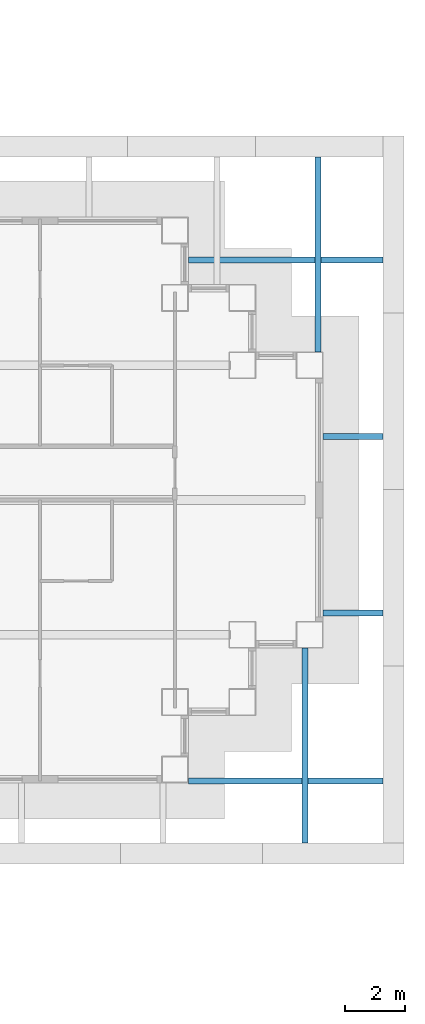
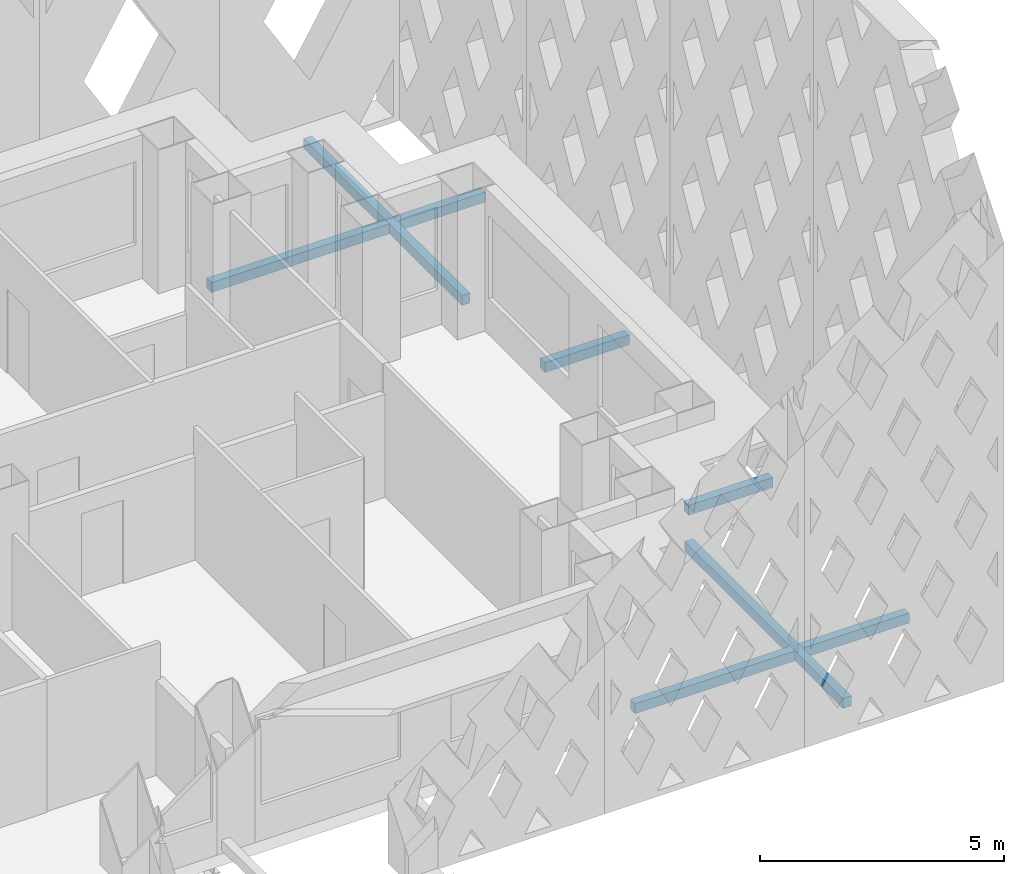
# One storey, part 10 of 21: 6 discrete accessories.
"""IFC4 building model written with IfcOpenShell, lengths in metres."""

from ifc_helpers import new_model, si_unit, direction, frame, origin, origin_2d, place, context, subcontext, project, spatial, rectangle, extrude, material, type_object, element, save


model = new_model("IFC4")

# Units and contexts
model_context = context("Model", 3, precision=1e-05, world=origin(), true_north=direction((0.0, 1.0)))
body_context = subcontext(model_context, "Body", "Model", "MODEL_VIEW")
ifc_project = project(units=[si_unit("LENGTHUNIT", "METRE"), si_unit("AREAUNIT", "SQUARE_METRE"), si_unit("VOLUMEUNIT", "CUBIC_METRE"), si_unit("PLANEANGLEUNIT", "RADIAN"), si_unit("MASSUNIT", "GRAM", prefix="KILO")], contexts=[model_context])

# Site, building, storey
site_placement = place(None, origin())
site = spatial("IfcSite", under=ifc_project, at=site_placement, CompositionType="ELEMENT")
building_placement = place(site_placement, origin())
building = spatial("IfcBuilding", under=site, at=building_placement, Name="Caravel Reach Hotel and Residences", CompositionType="ELEMENT")
storey_placement = place(building_placement, frame((0.0, 0.0, 100.800048828125)))
storey = spatial("IfcBuildingStorey", under=building, at=storey_placement, Name="L24", CompositionType="ELEMENT", Elevation=100.800048828125)

# Discrete accessories
ifc_material = material(Name="Black powder-coated aluminium", Category="aluminium")
discrete_accessory_type = type_object("IfcDiscreteAccessoryType", Name="BR1 Screen bracket", PredefinedType="BRACKET", material=ifc_material)
for number, where, z_axis, x_axis, name in (
    (1, (62.836669921875, 18.800048828125, 0.099853515625), (0.0, 0.0, 1.0), (0.0, -1.0, 0.0), "Screen bracket L24 6.3.1"),
    (2, (62.199951171875, 17.6201171875, 0.099853515625), (0.0, 0.0, 1.0), (1.0, 0.0, 0.0), "Screen bracket L24 7.1.1"),
):
    element("IfcDiscreteAccessory", number, at=place(storey_placement, frame(where, z_axis=z_axis, x_axis=x_axis)), inside=storey, type_object=discrete_accessory_type, Name=name, PredefinedType="BRACKET", context=body_context, shape_type="SweptSolid", body=[
        extrude(rectangle(XDim=6.5, YDim=0.199951171875, at=origin_2d()), origin(), (0.0, 0.0, 1.0), 0.25),
    ])
for number, where, z_axis, x_axis, name in (
    (3, (64.449951171875, 23.219970703125, 0.099853515625), (0.0, 0.0, 1.0), (1.0, 0.0, 0.0), "Screen bracket L24 7.2.1"),
    (4, (64.449951171875, 29.1201171875, 0.099853515625), (0.0, 0.0, 1.0), (1.0, 0.0, 0.0), "Screen bracket L24 7.3.1"),
):
    element("IfcDiscreteAccessory", number, at=place(storey_placement, frame(where, z_axis=z_axis, x_axis=x_axis)), inside=storey, type_object=discrete_accessory_type, Name=name, PredefinedType="BRACKET", context=body_context, shape_type="SweptSolid", body=[
        extrude(rectangle(XDim=2.0, YDim=0.199951171875, at=origin_2d()), origin(), (0.0, 0.0, 1.0), 0.25),
    ])
for number, where, z_axis, x_axis, name in (
    (5, (62.199951171875, 35.02001953125, 0.099853515625), (0.0, 0.0, 1.0), (1.0, 0.0, 0.0), "Screen bracket L24 7.4.1"),
    (6, (63.27001953125, 35.199951171875, 0.099853515625), (0.0, 0.0, 1.0), (0.0, 1.0, 0.0), "Screen bracket L24 8.1.1"),
):
    element("IfcDiscreteAccessory", number, at=place(storey_placement, frame(where, z_axis=z_axis, x_axis=x_axis)), inside=storey, type_object=discrete_accessory_type, Name=name, PredefinedType="BRACKET", context=body_context, shape_type="SweptSolid", body=[
        extrude(rectangle(XDim=6.5, YDim=0.199951171875, at=origin_2d()), origin(), (0.0, 0.0, 1.0), 0.25),
    ])

save(model, "model.ifc")
